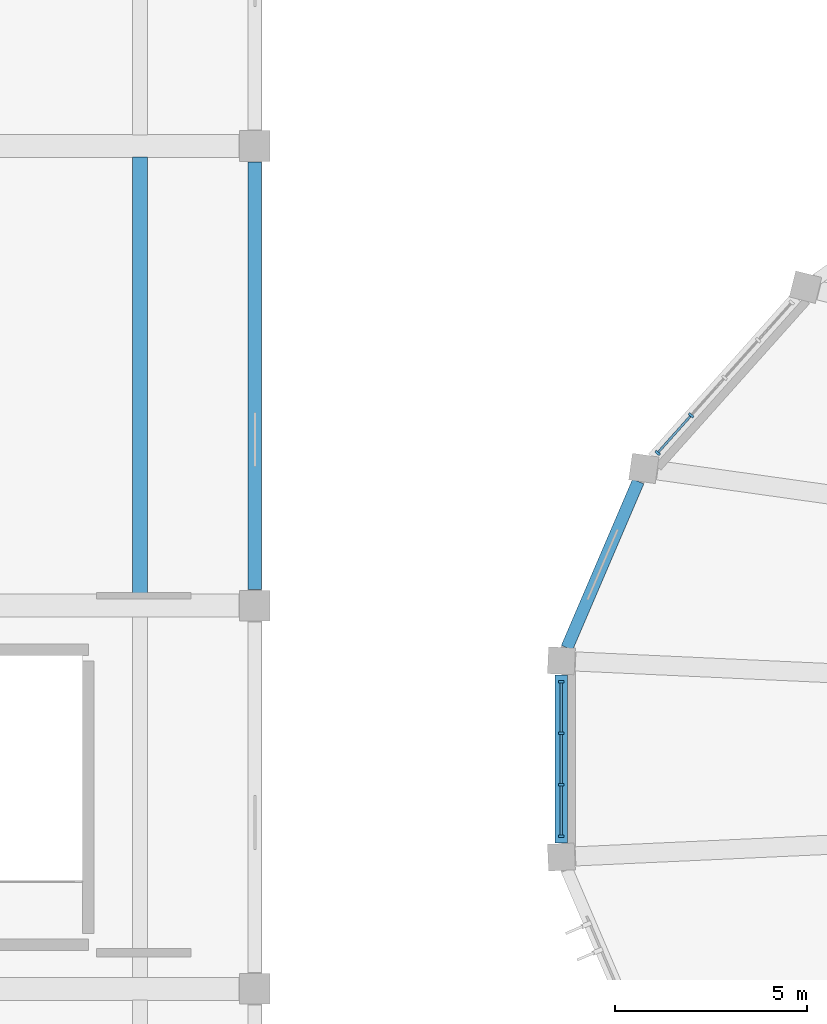
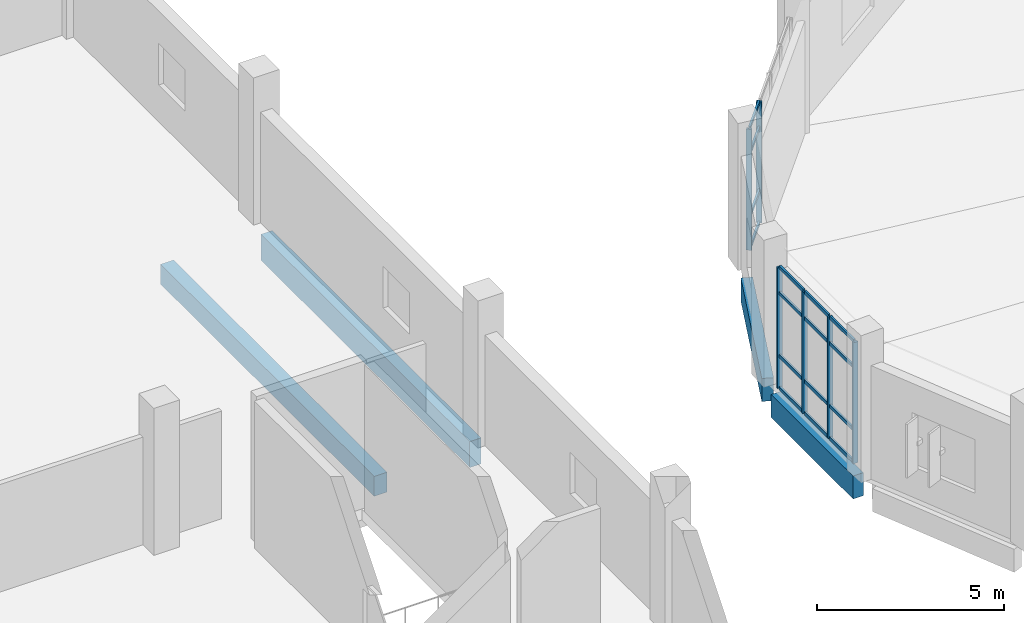
# One storey, part 25 of 179: 22 members, 4 beams, 2 elements without a shape of their own.
"""IFC4 building model written with IfcOpenShell, lengths in metres."""

from ifc_helpers import new_model, si_unit, direction, frame, origin, origin_2d, place, context, subcontext, project, spatial, rectangle, extrude, material, layer, layer_set, material_profile, profile_set, type_object, element, aggregate, save


model = new_model("IFC4")

# Units and contexts
model_context = context("Model", 3, precision=1e-05, world=origin(), true_north=direction((0.0, 1.0)))
body_context = subcontext(model_context, "Body", "Model", "MODEL_VIEW")
ifc_project = project(units=[si_unit("LENGTHUNIT", "METRE"), si_unit("AREAUNIT", "SQUARE_METRE"), si_unit("VOLUMEUNIT", "CUBIC_METRE"), si_unit("PLANEANGLEUNIT", "RADIAN"), si_unit("MASSUNIT", "GRAM", prefix="KILO")], contexts=[model_context])

# Site, building, storey
site_placement = place(None, origin())
site = spatial("IfcSite", under=ifc_project, at=site_placement, CompositionType="ELEMENT")
building_placement = place(site_placement, origin())
building = spatial("IfcBuilding", under=site, at=building_placement, Name="Corvandel Quay Wholesale Market", CompositionType="ELEMENT")
storey_placement = place(building_placement, frame((0.0, 0.0, 6.0)))
storey = spatial("IfcBuildingStorey", under=building, at=storey_placement, Name="L01", CompositionType="ELEMENT", Elevation=6.0)

# Beam
ifc_material_1 = material(Name="Precast concrete C45/55", Category="concrete")
ifc_material_profile_1 = material_profile(ifc_material_1, rectangle(XDim=0.39990234375, YDim=0.64990234375, at=origin_2d()), Name="PC-BM-400x650")
ifc_profile_set_1 = profile_set([ifc_material_profile_1], Name="Precast concrete C45/55")
beam_type_1 = type_object("IfcBeamType", Name="Cold Store Secondary Beam B01 400x650", PredefinedType="BEAM", material=ifc_profile_set_1)
beam_1_placement = place(storey_placement, frame((47.0, 120.2900390625, -0.68505859375), z_axis=(0.0, 1.0, 0.0), x_axis=(-1.0, 0.0, 0.0)))
element("IfcBeam", 1, at=beam_1_placement, inside=storey, type_object=beam_type_1, Name="Beam BM-1147", PredefinedType="BEAM", context=body_context, shape_type="SweptSolid", body=[
    extrude(rectangle(XDim=0.39990234375, YDim=0.64990234375, at=origin_2d()), origin(), (0.0, 0.0, 1.0), 11.419921875),
])

# Curtain wall, members
ifc_material_2 = material(Name="Bronze anodised aluminium and low-E insulated glazing", Category="aluminium")
ifc_layer_1 = layer(ifc_material_2, 0.14990234375)
ifc_layer_set_1 = layer_set([ifc_layer_1], Name="Bronze anodised aluminium and low-E insulated glazing")
curtain_wall_type_1 = type_object("IfcCurtainWallType", Name="Stick Curtain Wall System CW20 H4800", PredefinedType="NOTDEFINED", material=ifc_layer_set_1)
curtain_wall_1_placement = place(storey_placement, origin())
curtain_wall_1 = element("IfcCurtainWall", 2, at=curtain_wall_1_placement, inside=storey, type_object=curtain_wall_type_1, Name="Curtain Wall CW-0102", PredefinedType="NOTDEFINED")
ifc_material_3 = material(Name="Anodised aluminium 6063-T6", Category="aluminium")
ifc_material_profile_2 = material_profile(ifc_material_3, rectangle(XDim=0.06494140625, YDim=0.14990234375, at=origin_2d()), Name="ALU-MUL-65x150")
ifc_profile_set_2 = profile_set([ifc_material_profile_2], Name="Anodised aluminium 6063-T6")
member_type_1 = type_object("IfcMemberType", Name="Curtain Wall Mullion ML02 65x150", PredefinedType="MULLION", material=ifc_profile_set_2)
member_1_placement = place(storey_placement, frame((61.386962890625, 124.968505859375, 0.0), z_axis=(0.0, 0.0, 1.0), x_axis=(0.665621202286, 0.746289766155, 0.0)))
member_1 = element("IfcMember", 3, at=member_1_placement, type_object=member_type_1, Name="Mullion CW-0102-M03", PredefinedType="MULLION", context=body_context, shape_type="SweptSolid", body=[
    extrude(rectangle(XDim=0.06494140625, YDim=0.14990234375, at=origin_2d()), origin(), (0.0, 0.0, 1.0), 3.949951171875),
])
member_2_placement = place(storey_placement, frame((60.511474609375, 123.987060546875, 0.0), z_axis=(0.0, 0.0, 1.0), x_axis=(0.665621202286, 0.746289766155, 0.0)))
member_2 = element("IfcMember", 4, at=member_2_placement, type_object=member_type_1, Name="Mullion CW-0102-M04", PredefinedType="MULLION", context=body_context, shape_type="SweptSolid", body=[
    extrude(rectangle(XDim=0.06494140625, YDim=0.14990234375, at=origin_2d()), origin(), (0.0, 0.0, 1.0), 3.949951171875),
])

ifc_layer_2 = layer(ifc_material_2, 0.174072265625)
ifc_layer_set_2 = layer_set([ifc_layer_2], Name="Bronze anodised aluminium and low-E insulated glazing")
curtain_wall_type_2 = type_object("IfcCurtainWallType", Name="Stick Curtain Wall System CW22 H4980", PredefinedType="NOTDEFINED", material=ifc_layer_set_2)
curtain_wall_2_placement = place(storey_placement, origin())
curtain_wall_2 = element("IfcCurtainWall", 5, at=curtain_wall_2_placement, inside=storey, type_object=curtain_wall_type_2, Name="Curtain Wall CW-0104", PredefinedType="NOTDEFINED")
member_3_placement = place(storey_placement, frame((58.0, 118.02099609375, 0.0), z_axis=(0.0, 0.0, 1.0), x_axis=(0.0, 1.0, 0.0)))
member_3 = element("IfcMember", 6, at=member_3_placement, type_object=member_type_1, Name="Mullion CW-0104-M00", PredefinedType="MULLION", context=body_context, shape_type="SweptSolid", body=[
    extrude(rectangle(XDim=0.06494140625, YDim=0.14990234375, at=origin_2d()), origin(), (0.0, 0.0, 1.0), 3.949951171875),
])
member_4_placement = place(storey_placement, frame((58.0, 116.673583984375, 0.0), z_axis=(0.0, 0.0, 1.0), x_axis=(0.0, 1.0, 0.0)))
member_4 = element("IfcMember", 7, at=member_4_placement, type_object=member_type_1, Name="Mullion CW-0104-M01", PredefinedType="MULLION", context=body_context, shape_type="SweptSolid", body=[
    extrude(rectangle(XDim=0.06494140625, YDim=0.14990234375, at=origin_2d()), origin(), (0.0, 0.0, 1.0), 3.949951171875),
])
member_5_placement = place(storey_placement, frame((58.0, 115.326416015625, 0.0), z_axis=(0.0, 0.0, 1.0), x_axis=(0.0, 1.0, 0.0)))
member_5 = element("IfcMember", 8, at=member_5_placement, type_object=member_type_1, Name="Mullion CW-0104-M02", PredefinedType="MULLION", context=body_context, shape_type="SweptSolid", body=[
    extrude(rectangle(XDim=0.06494140625, YDim=0.14990234375, at=origin_2d()), origin(), (0.0, 0.0, 1.0), 3.949951171875),
])
member_6_placement = place(storey_placement, frame((58.0, 113.97900390625, 0.0), z_axis=(0.0, 0.0, 1.0), x_axis=(0.0, 1.0, 0.0)))
member_6 = element("IfcMember", 9, at=member_6_placement, type_object=member_type_1, Name="Mullion CW-0104-M03", PredefinedType="MULLION", context=body_context, shape_type="SweptSolid", body=[
    extrude(rectangle(XDim=0.06494140625, YDim=0.14990234375, at=origin_2d()), origin(), (0.0, 0.0, 1.0), 3.949951171875),
])

# Member
ifc_material_profile_3 = material_profile(ifc_material_3, rectangle(XDim=0.06005859375, YDim=0.110107421875, at=origin_2d()), Name="ALU-TRN-60x110")
ifc_profile_set_3 = profile_set([ifc_material_profile_3], Name="Anodised aluminium 6063-T6")
member_type_2 = type_object("IfcMemberType", Name="Curtain Wall Transom TR02 60x110", PredefinedType="USERDEFINED", material=ifc_profile_set_3)
member_7_placement = place(storey_placement, frame((61.365234375, 124.944091796875, 0.0), z_axis=(-0.665732423865, -0.746190551947, 0.0), x_axis=(0.746190551947, -0.665732423865, 0.0)))
member_7 = element("IfcMember", 10, at=member_7_placement, type_object=member_type_2, Name="Transom CW-0102-T03-0", ObjectType="TRANSOM", PredefinedType="USERDEFINED", context=body_context, shape_type="SweptSolid", body=[
    extrude(rectangle(XDim=0.06005859375, YDim=0.110107421875, at=origin_2d()), origin(), (0.0, 0.0, 1.0), 1.250244140625),
])

member_8_placement = place(storey_placement, frame((61.365234375, 124.944091796875, 1.050048828125), z_axis=(-0.665732423865, -0.746190551947, 0.0), x_axis=(0.746190551947, -0.665732423865, 0.0)))
member_8 = element("IfcMember", 11, at=member_8_placement, type_object=member_type_2, Name="Transom CW-0102-T03-1", ObjectType="TRANSOM", PredefinedType="USERDEFINED", context=body_context, shape_type="SweptSolid", body=[
    extrude(rectangle(XDim=0.06005859375, YDim=0.110107421875, at=origin_2d()), origin(), (0.0, 0.0, 1.0), 1.250244140625),
])

member_9_placement = place(storey_placement, frame((61.365234375, 124.944091796875, 3.10009765625), z_axis=(-0.665732423865, -0.746190551947, 0.0), x_axis=(0.746190551947, -0.665732423865, 0.0)))
member_9 = element("IfcMember", 12, at=member_9_placement, type_object=member_type_2, Name="Transom CW-0102-T03-2", ObjectType="TRANSOM", PredefinedType="USERDEFINED", context=body_context, shape_type="SweptSolid", body=[
    extrude(rectangle(XDim=0.06005859375, YDim=0.110107421875, at=origin_2d()), origin(), (0.0, 0.0, 1.0), 1.250244140625),
])

member_10_placement = place(storey_placement, frame((61.365234375, 124.944091796875, 3.949951171875), z_axis=(-0.665732423865, -0.746190551947, 0.0), x_axis=(0.746190551947, -0.665732423865, 0.0)))
member_10 = element("IfcMember", 13, at=member_10_placement, type_object=member_type_2, Name="Transom CW-0102-T03-3", ObjectType="TRANSOM", PredefinedType="USERDEFINED", context=body_context, shape_type="SweptSolid", body=[
    extrude(rectangle(XDim=0.06005859375, YDim=0.110107421875, at=origin_2d()), origin(), (0.0, 0.0, 1.0), 1.250244140625),
])

aggregate(curtain_wall_1, [member_1, member_2, member_7, member_8, member_9, member_10])

member_11_placement = place(storey_placement, frame((58.0, 117.988525390625, 0.0), z_axis=(0.0, -1.0, 0.0), x_axis=(1.0, 0.0, 0.0)))
member_11 = element("IfcMember", 14, at=member_11_placement, type_object=member_type_2, Name="Transom CW-0104-T00-0", ObjectType="TRANSOM", PredefinedType="USERDEFINED", context=body_context, shape_type="SweptSolid", body=[
    extrude(rectangle(XDim=0.06005859375, YDim=0.110107421875, at=origin_2d()), origin(), (0.0, 0.0, 1.0), 1.2822265625),
])

member_12_placement = place(storey_placement, frame((58.0, 117.988525390625, 1.050048828125), z_axis=(0.0, -1.0, 0.0), x_axis=(1.0, 0.0, 0.0)))
member_12 = element("IfcMember", 15, at=member_12_placement, type_object=member_type_2, Name="Transom CW-0104-T00-1", ObjectType="TRANSOM", PredefinedType="USERDEFINED", context=body_context, shape_type="SweptSolid", body=[
    extrude(rectangle(XDim=0.06005859375, YDim=0.110107421875, at=origin_2d()), origin(), (0.0, 0.0, 1.0), 1.2822265625),
])

member_13_placement = place(storey_placement, frame((58.0, 117.988525390625, 3.10009765625), z_axis=(0.0, -1.0, 0.0), x_axis=(1.0, 0.0, 0.0)))
member_13 = element("IfcMember", 16, at=member_13_placement, type_object=member_type_2, Name="Transom CW-0104-T00-2", ObjectType="TRANSOM", PredefinedType="USERDEFINED", context=body_context, shape_type="SweptSolid", body=[
    extrude(rectangle(XDim=0.06005859375, YDim=0.110107421875, at=origin_2d()), origin(), (0.0, 0.0, 1.0), 1.2822265625),
])

member_14_placement = place(storey_placement, frame((58.0, 117.988525390625, 3.949951171875), z_axis=(0.0, -1.0, 0.0), x_axis=(1.0, 0.0, 0.0)))
member_14 = element("IfcMember", 17, at=member_14_placement, type_object=member_type_2, Name="Transom CW-0104-T00-3", ObjectType="TRANSOM", PredefinedType="USERDEFINED", context=body_context, shape_type="SweptSolid", body=[
    extrude(rectangle(XDim=0.06005859375, YDim=0.110107421875, at=origin_2d()), origin(), (0.0, 0.0, 1.0), 1.2822265625),
])

member_15_placement = place(storey_placement, frame((58.0, 116.64111328125, 0.0), z_axis=(0.0, -1.0, 0.0), x_axis=(1.0, 0.0, 0.0)))
member_15 = element("IfcMember", 18, at=member_15_placement, type_object=member_type_2, Name="Transom CW-0104-T01-0", ObjectType="TRANSOM", PredefinedType="USERDEFINED", context=body_context, shape_type="SweptSolid", body=[
    extrude(rectangle(XDim=0.06005859375, YDim=0.110107421875, at=origin_2d()), origin(), (0.0, 0.0, 1.0), 1.2822265625),
])

member_16_placement = place(storey_placement, frame((58.0, 116.64111328125, 1.050048828125), z_axis=(0.0, -1.0, 0.0), x_axis=(1.0, 0.0, 0.0)))
member_16 = element("IfcMember", 19, at=member_16_placement, type_object=member_type_2, Name="Transom CW-0104-T01-1", ObjectType="TRANSOM", PredefinedType="USERDEFINED", context=body_context, shape_type="SweptSolid", body=[
    extrude(rectangle(XDim=0.06005859375, YDim=0.110107421875, at=origin_2d()), origin(), (0.0, 0.0, 1.0), 1.2822265625),
])

member_17_placement = place(storey_placement, frame((58.0, 116.64111328125, 3.10009765625), z_axis=(0.0, -1.0, 0.0), x_axis=(1.0, 0.0, 0.0)))
member_17 = element("IfcMember", 20, at=member_17_placement, type_object=member_type_2, Name="Transom CW-0104-T01-2", ObjectType="TRANSOM", PredefinedType="USERDEFINED", context=body_context, shape_type="SweptSolid", body=[
    extrude(rectangle(XDim=0.06005859375, YDim=0.110107421875, at=origin_2d()), origin(), (0.0, 0.0, 1.0), 1.2822265625),
])

member_18_placement = place(storey_placement, frame((58.0, 116.64111328125, 3.949951171875), z_axis=(0.0, -1.0, 0.0), x_axis=(1.0, 0.0, 0.0)))
member_18 = element("IfcMember", 21, at=member_18_placement, type_object=member_type_2, Name="Transom CW-0104-T01-3", ObjectType="TRANSOM", PredefinedType="USERDEFINED", context=body_context, shape_type="SweptSolid", body=[
    extrude(rectangle(XDim=0.06005859375, YDim=0.110107421875, at=origin_2d()), origin(), (0.0, 0.0, 1.0), 1.2822265625),
])

member_19_placement = place(storey_placement, frame((58.0, 115.293701171875, 0.0), z_axis=(0.0, -1.0, 0.0), x_axis=(1.0, 0.0, 0.0)))
member_19 = element("IfcMember", 22, at=member_19_placement, type_object=member_type_2, Name="Transom CW-0104-T02-0", ObjectType="TRANSOM", PredefinedType="USERDEFINED", context=body_context, shape_type="SweptSolid", body=[
    extrude(rectangle(XDim=0.06005859375, YDim=0.110107421875, at=origin_2d()), origin(), (0.0, 0.0, 1.0), 1.2822265625),
])

member_20_placement = place(storey_placement, frame((58.0, 115.293701171875, 1.050048828125), z_axis=(0.0, -1.0, 0.0), x_axis=(1.0, 0.0, 0.0)))
member_20 = element("IfcMember", 23, at=member_20_placement, type_object=member_type_2, Name="Transom CW-0104-T02-1", ObjectType="TRANSOM", PredefinedType="USERDEFINED", context=body_context, shape_type="SweptSolid", body=[
    extrude(rectangle(XDim=0.06005859375, YDim=0.110107421875, at=origin_2d()), origin(), (0.0, 0.0, 1.0), 1.2822265625),
])

member_21_placement = place(storey_placement, frame((58.0, 115.293701171875, 3.10009765625), z_axis=(0.0, -1.0, 0.0), x_axis=(1.0, 0.0, 0.0)))
member_21 = element("IfcMember", 24, at=member_21_placement, type_object=member_type_2, Name="Transom CW-0104-T02-2", ObjectType="TRANSOM", PredefinedType="USERDEFINED", context=body_context, shape_type="SweptSolid", body=[
    extrude(rectangle(XDim=0.06005859375, YDim=0.110107421875, at=origin_2d()), origin(), (0.0, 0.0, 1.0), 1.2822265625),
])

member_22_placement = place(storey_placement, frame((58.0, 115.293701171875, 3.949951171875), z_axis=(0.0, -1.0, 0.0), x_axis=(1.0, 0.0, 0.0)))
member_22 = element("IfcMember", 25, at=member_22_placement, type_object=member_type_2, Name="Transom CW-0104-T02-3", ObjectType="TRANSOM", PredefinedType="USERDEFINED", context=body_context, shape_type="SweptSolid", body=[
    extrude(rectangle(XDim=0.06005859375, YDim=0.110107421875, at=origin_2d()), origin(), (0.0, 0.0, 1.0), 1.2822265625),
])

aggregate(curtain_wall_2, [member_3, member_4, member_5, member_6, member_11, member_12, member_13, member_14, member_15, member_16, member_17, member_18, member_19, member_20, member_21, member_22])

# Beams
ifc_material_profile_4 = material_profile(ifc_material_1, rectangle(XDim=0.320068359375, YDim=0.75, at=origin_2d()), Name="PC-SPN-320x750")
ifc_profile_set_4 = profile_set([ifc_material_profile_4], Name="Precast concrete C45/55")
beam_type_2 = type_object("IfcBeamType", Name="Pavilion Precast Spandrel SP02 320x750", PredefinedType="SPANDREL", material=ifc_profile_set_4)
beam_2_placement = place(storey_placement, frame((60.00634765625, 123.243896484375, -0.655029296875), z_axis=(-0.393813273626, -0.919190462046, 0.0), x_axis=(0.919190462046, -0.393813273626, 0.0)))
element("IfcBeam", 26, at=beam_2_placement, inside=storey, type_object=beam_type_2, Name="Beam BM-0618", PredefinedType="SPANDREL", context=body_context, shape_type="SweptSolid", body=[
    extrude(rectangle(XDim=0.320068359375, YDim=0.75, at=origin_2d()), origin(), (0.0, 0.0, 1.0), 4.724609375),
])
beam_3_placement = place(storey_placement, frame((58.0, 118.19091796875, -0.655029296875), z_axis=(0.0, -1.0, 0.0), x_axis=(1.0, 0.0, 0.0)))
element("IfcBeam", 27, at=beam_3_placement, inside=storey, type_object=beam_type_2, Name="Beam BM-0625", PredefinedType="SPANDREL", context=body_context, shape_type="SweptSolid", body=[
    extrude(rectangle(XDim=0.320068359375, YDim=0.75, at=origin_2d()), origin(), (0.0, 0.0, 1.0), 4.3818359375),
])
ifc_material_profile_5 = material_profile(ifc_material_1, rectangle(XDim=0.35009765625, YDim=0.85009765625, at=origin_2d()), Name="PC-SPN-350x850")
ifc_profile_set_5 = profile_set([ifc_material_profile_5], Name="Precast concrete C45/55")
beam_type_3 = type_object("IfcBeamType", Name="Perimeter Precast Spandrel SP01 350x850", PredefinedType="SPANDREL", material=ifc_profile_set_5)
beam_4_placement = place(storey_placement, frame((50.0, 120.419921875, -0.784912109375), z_axis=(0.0, 1.0, 0.0), x_axis=(-1.0, 0.0, 0.0)))
element("IfcBeam", 28, at=beam_4_placement, inside=storey, type_object=beam_type_3, Name="Beam BM-1108", PredefinedType="SPANDREL", context=body_context, shape_type="SweptSolid", body=[
    extrude(rectangle(XDim=0.35009765625, YDim=0.85009765625, at=origin_2d()), origin(), (0.0, 0.0, 1.0), 11.16015625),
])

save(model, "model.ifc")
